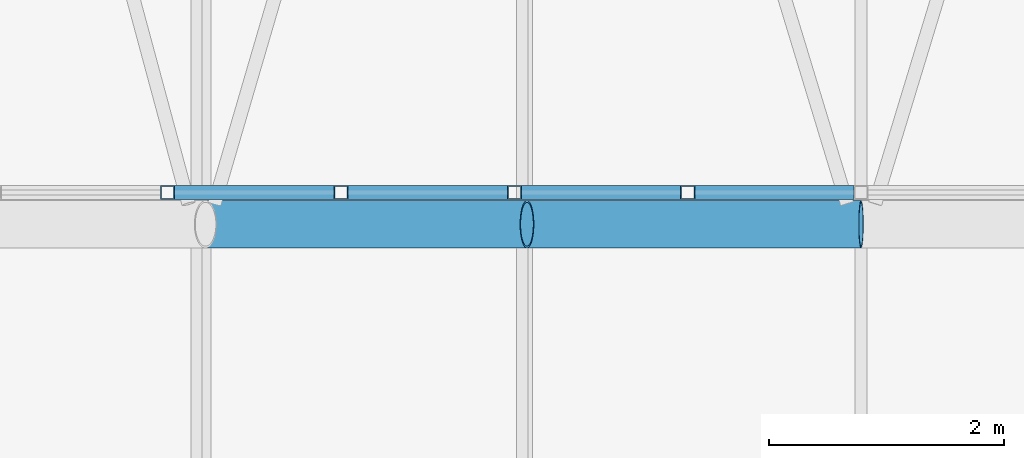
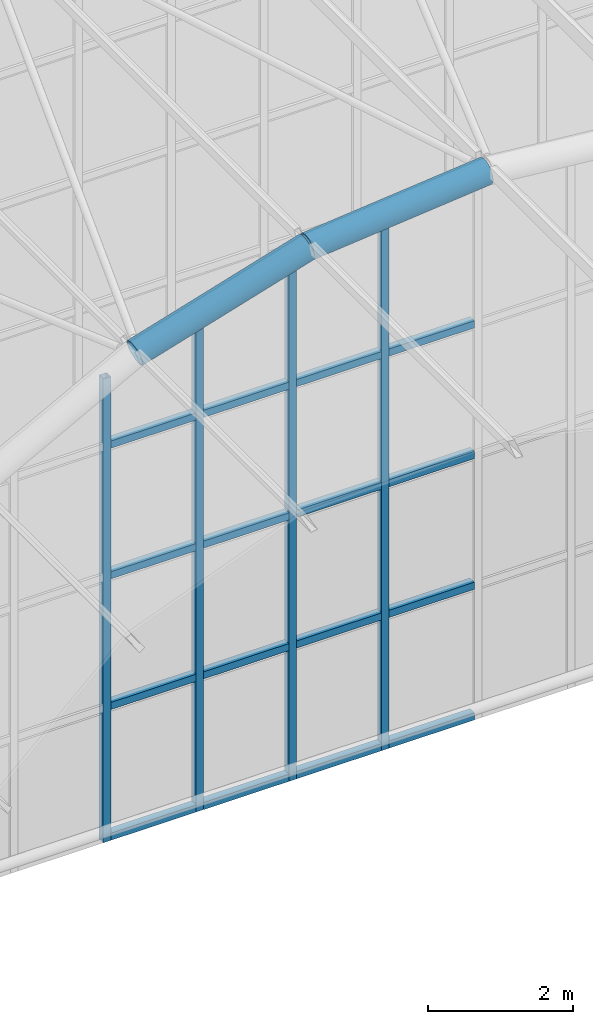
# One storey, part 41 of 121: 22 members, 1 element without a shape of its own.
"""IFC4 building model written with IfcOpenShell, lengths in metres."""

from ifc_helpers import new_model, si_unit, direction, frame, origin, origin_2d, place, context, subcontext, project, spatial, hollow_rectangle, hollow_circle, extrude, material, material_profile, profile_set, type_object, element, aggregate, save


model = new_model("IFC4")

# Units and contexts
model_context = context("Model", 3, precision=1e-05, world=origin(), true_north=direction((0.0, 1.0)))
body_context = subcontext(model_context, "Body", "Model", "MODEL_VIEW")
ifc_project = project(units=[si_unit("LENGTHUNIT", "METRE"), si_unit("AREAUNIT", "SQUARE_METRE"), si_unit("VOLUMEUNIT", "CUBIC_METRE"), si_unit("PLANEANGLEUNIT", "RADIAN"), si_unit("MASSUNIT", "GRAM", prefix="KILO")], contexts=[model_context])

# Site, building, storey
site_placement = place(None, origin())
site = spatial("IfcSite", under=ifc_project, at=site_placement, CompositionType="ELEMENT")
building_placement = place(site_placement, origin())
building = spatial("IfcBuilding", under=site, at=building_placement, Name="Golden Quay Civic Hall", CompositionType="ELEMENT")
storey_placement = place(building_placement, frame((0.0, 0.0, 18.60009765625)))
storey = spatial("IfcBuildingStorey", under=building, at=storey_placement, Name="L04", CompositionType="ELEMENT", Elevation=18.60009765625)

# Curtain wall, members
ifc_material_1 = material(Name="Fire-resisting glass and steel", Category="steel")
curtain_wall_type = type_object("IfcCurtainWallType", Name="Fire-resisting glazed curtain wall EI 120", PredefinedType="NOTDEFINED", material=ifc_material_1)
curtain_wall_placement = place(storey_placement, origin())
curtain_wall = element("IfcCurtainWall", 1, at=curtain_wall_placement, inside=storey, type_object=curtain_wall_type, Name="Curtain wall tympanum fire3", PredefinedType="NOTDEFINED")
ifc_material_2 = material(Name="Steel S355", Category="steel")
ifc_material_profile_1 = material_profile(ifc_material_2, hollow_rectangle(XDim=0.1201171875, YDim=0.1201171875, WallThickness=0.008056640625, at=origin_2d()), Name="SHS 120x120x8")
ifc_profile_set_1 = profile_set([ifc_material_profile_1], Name="Steel S355")
member_type_1 = type_object("IfcMemberType", Name="Fire-resisting steel mullion SHS 120x120x8", PredefinedType="MULLION", material=ifc_profile_set_1)
member_1_placement = place(storey_placement, frame((79.5888671875, 54.27001953125, -0.25), z_axis=(0.0, 0.0, 1.0), x_axis=(0.0, 1.0, 0.0)))
member_1 = element("IfcMember", 2, at=member_1_placement, type_object=member_type_1, Name="Tympanum mullion 6", PredefinedType="MULLION", context=body_context, shape_type="SweptSolid", body=[
    extrude(hollow_rectangle(XDim=0.1201171875, YDim=0.1201171875, WallThickness=0.008056640625, at=origin_2d()), origin(), (0.0, 0.0, 1.0), 7.805419921875),
])
member_2_placement = place(storey_placement, frame((81.066650390625, 54.27001953125, -0.25), z_axis=(0.0, 0.0, 1.0), x_axis=(0.0, 1.0, 0.0)))
member_2 = element("IfcMember", 3, at=member_2_placement, type_object=member_type_1, Name="Tympanum mullion 7", PredefinedType="MULLION", context=body_context, shape_type="SweptSolid", body=[
    extrude(hollow_rectangle(XDim=0.1201171875, YDim=0.1201171875, WallThickness=0.008056640625, at=origin_2d()), origin(), (0.0, 0.0, 1.0), 8.359375),
])
member_3_placement = place(storey_placement, frame((82.54443359375, 54.27001953125, -0.25), z_axis=(0.0, 0.0, 1.0), x_axis=(0.0, 1.0, 0.0)))
member_3 = element("IfcMember", 4, at=member_3_placement, type_object=member_type_1, Name="Tympanum mullion 8", PredefinedType="MULLION", context=body_context, shape_type="SweptSolid", body=[
    extrude(hollow_rectangle(XDim=0.1201171875, YDim=0.1201171875, WallThickness=0.008056640625, at=origin_2d()), origin(), (0.0, 0.0, 1.0), 8.806884765625),
])
member_4_placement = place(storey_placement, frame((84.022216796875, 54.27001953125, -0.25), z_axis=(0.0, 0.0, 1.0), x_axis=(0.0, 1.0, 0.0)))
member_4 = element("IfcMember", 5, at=member_4_placement, type_object=member_type_1, Name="Tympanum mullion 9", PredefinedType="MULLION", context=body_context, shape_type="SweptSolid", body=[
    extrude(hollow_rectangle(XDim=0.1201171875, YDim=0.1201171875, WallThickness=0.008056640625, at=origin_2d()), origin(), (0.0, 0.0, 1.0), 8.99462890625),
])
ifc_material_3 = material(Name="Steel S355", Category="steel")
ifc_material_profile_2 = material_profile(ifc_material_3, hollow_rectangle(XDim=0.1201171875, YDim=0.1201171875, WallThickness=0.008056640625, at=origin_2d()), Name="SHS 120x120x8")
ifc_profile_set_2 = profile_set([ifc_material_profile_2], Name="Steel S355")
member_type_2 = type_object("IfcMemberType", Name="Fire-resisting steel transom SHS 120x120x8", PredefinedType="USERDEFINED", material=ifc_profile_set_2)
member_5_placement = place(storey_placement, frame((79.64892578125, 54.27001953125, -0.190185546875), z_axis=(1.0, 0.0, 0.0), x_axis=(0.0, 1.0, 0.0)))
member_5 = element("IfcMember", 6, at=member_5_placement, type_object=member_type_2, Name="Tympanum transom 6.1", ObjectType="TRANSOM", PredefinedType="USERDEFINED", context=body_context, shape_type="SweptSolid", body=[
    extrude(hollow_rectangle(XDim=0.1201171875, YDim=0.1201171875, WallThickness=0.008056640625, at=origin_2d()), origin(), (0.0, 0.0, 1.0), 1.357666015625),
])
member_6_placement = place(storey_placement, frame((79.64892578125, 54.27001953125, 2.010009765625), z_axis=(1.0, 0.0, 0.0), x_axis=(0.0, 1.0, 0.0)))
member_6 = element("IfcMember", 7, at=member_6_placement, type_object=member_type_2, Name="Tympanum transom 6.2", ObjectType="TRANSOM", PredefinedType="USERDEFINED", context=body_context, shape_type="SweptSolid", body=[
    extrude(hollow_rectangle(XDim=0.1201171875, YDim=0.1201171875, WallThickness=0.008056640625, at=origin_2d()), origin(), (0.0, 0.0, 1.0), 1.357666015625),
])
member_7_placement = place(storey_placement, frame((79.64892578125, 54.27001953125, 4.2099609375), z_axis=(1.0, 0.0, 0.0), x_axis=(0.0, 1.0, 0.0)))
member_7 = element("IfcMember", 8, at=member_7_placement, type_object=member_type_2, Name="Tympanum transom 6.3", ObjectType="TRANSOM", PredefinedType="USERDEFINED", context=body_context, shape_type="SweptSolid", body=[
    extrude(hollow_rectangle(XDim=0.1201171875, YDim=0.1201171875, WallThickness=0.008056640625, at=origin_2d()), origin(), (0.0, 0.0, 1.0), 1.357666015625),
])
member_8_placement = place(storey_placement, frame((79.64892578125, 54.27001953125, 6.409912109375), z_axis=(1.0, 0.0, 0.0), x_axis=(0.0, 1.0, 0.0)))
member_8 = element("IfcMember", 9, at=member_8_placement, type_object=member_type_2, Name="Tympanum transom 6.4", ObjectType="TRANSOM", PredefinedType="USERDEFINED", context=body_context, shape_type="SweptSolid", body=[
    extrude(hollow_rectangle(XDim=0.1201171875, YDim=0.1201171875, WallThickness=0.008056640625, at=origin_2d()), origin(), (0.0, 0.0, 1.0), 1.357666015625),
])
member_9_placement = place(storey_placement, frame((81.126708984375, 54.27001953125, -0.190185546875), z_axis=(1.0, 0.0, 0.0), x_axis=(0.0, 1.0, 0.0)))
member_9 = element("IfcMember", 10, at=member_9_placement, type_object=member_type_2, Name="Tympanum transom 7.1", ObjectType="TRANSOM", PredefinedType="USERDEFINED", context=body_context, shape_type="SweptSolid", body=[
    extrude(hollow_rectangle(XDim=0.1201171875, YDim=0.1201171875, WallThickness=0.008056640625, at=origin_2d()), origin(), (0.0, 0.0, 1.0), 1.357666015625),
])
member_10_placement = place(storey_placement, frame((81.126708984375, 54.27001953125, 2.010009765625), z_axis=(1.0, 0.0, 0.0), x_axis=(0.0, 1.0, 0.0)))
member_10 = element("IfcMember", 11, at=member_10_placement, type_object=member_type_2, Name="Tympanum transom 7.2", ObjectType="TRANSOM", PredefinedType="USERDEFINED", context=body_context, shape_type="SweptSolid", body=[
    extrude(hollow_rectangle(XDim=0.1201171875, YDim=0.1201171875, WallThickness=0.008056640625, at=origin_2d()), origin(), (0.0, 0.0, 1.0), 1.357666015625),
])
member_11_placement = place(storey_placement, frame((81.126708984375, 54.27001953125, 4.2099609375), z_axis=(1.0, 0.0, 0.0), x_axis=(0.0, 1.0, 0.0)))
member_11 = element("IfcMember", 12, at=member_11_placement, type_object=member_type_2, Name="Tympanum transom 7.3", ObjectType="TRANSOM", PredefinedType="USERDEFINED", context=body_context, shape_type="SweptSolid", body=[
    extrude(hollow_rectangle(XDim=0.1201171875, YDim=0.1201171875, WallThickness=0.008056640625, at=origin_2d()), origin(), (0.0, 0.0, 1.0), 1.357666015625),
])
member_12_placement = place(storey_placement, frame((81.126708984375, 54.27001953125, 6.409912109375), z_axis=(1.0, 0.0, 0.0), x_axis=(0.0, 1.0, 0.0)))
member_12 = element("IfcMember", 13, at=member_12_placement, type_object=member_type_2, Name="Tympanum transom 7.4", ObjectType="TRANSOM", PredefinedType="USERDEFINED", context=body_context, shape_type="SweptSolid", body=[
    extrude(hollow_rectangle(XDim=0.1201171875, YDim=0.1201171875, WallThickness=0.008056640625, at=origin_2d()), origin(), (0.0, 0.0, 1.0), 1.357666015625),
])
member_13_placement = place(storey_placement, frame((82.6044921875, 54.27001953125, -0.190185546875), z_axis=(1.0, 0.0, 0.0), x_axis=(0.0, 1.0, 0.0)))
member_13 = element("IfcMember", 14, at=member_13_placement, type_object=member_type_2, Name="Tympanum transom 8.1", ObjectType="TRANSOM", PredefinedType="USERDEFINED", context=body_context, shape_type="SweptSolid", body=[
    extrude(hollow_rectangle(XDim=0.1201171875, YDim=0.1201171875, WallThickness=0.008056640625, at=origin_2d()), origin(), (0.0, 0.0, 1.0), 1.357666015625),
])
member_14_placement = place(storey_placement, frame((82.6044921875, 54.27001953125, 2.010009765625), z_axis=(1.0, 0.0, 0.0), x_axis=(0.0, 1.0, 0.0)))
member_14 = element("IfcMember", 15, at=member_14_placement, type_object=member_type_2, Name="Tympanum transom 8.2", ObjectType="TRANSOM", PredefinedType="USERDEFINED", context=body_context, shape_type="SweptSolid", body=[
    extrude(hollow_rectangle(XDim=0.1201171875, YDim=0.1201171875, WallThickness=0.008056640625, at=origin_2d()), origin(), (0.0, 0.0, 1.0), 1.357666015625),
])
member_15_placement = place(storey_placement, frame((82.6044921875, 54.27001953125, 4.2099609375), z_axis=(1.0, 0.0, 0.0), x_axis=(0.0, 1.0, 0.0)))
member_15 = element("IfcMember", 16, at=member_15_placement, type_object=member_type_2, Name="Tympanum transom 8.3", ObjectType="TRANSOM", PredefinedType="USERDEFINED", context=body_context, shape_type="SweptSolid", body=[
    extrude(hollow_rectangle(XDim=0.1201171875, YDim=0.1201171875, WallThickness=0.008056640625, at=origin_2d()), origin(), (0.0, 0.0, 1.0), 1.357666015625),
])
member_16_placement = place(storey_placement, frame((82.6044921875, 54.27001953125, 6.409912109375), z_axis=(1.0, 0.0, 0.0), x_axis=(0.0, 1.0, 0.0)))
member_16 = element("IfcMember", 17, at=member_16_placement, type_object=member_type_2, Name="Tympanum transom 8.4", ObjectType="TRANSOM", PredefinedType="USERDEFINED", context=body_context, shape_type="SweptSolid", body=[
    extrude(hollow_rectangle(XDim=0.1201171875, YDim=0.1201171875, WallThickness=0.008056640625, at=origin_2d()), origin(), (0.0, 0.0, 1.0), 1.357666015625),
])
member_17_placement = place(storey_placement, frame((84.082275390625, 54.27001953125, -0.190185546875), z_axis=(1.0, 0.0, 0.0), x_axis=(0.0, 1.0, 0.0)))
member_17 = element("IfcMember", 18, at=member_17_placement, type_object=member_type_2, Name="Tympanum transom 9.1", ObjectType="TRANSOM", PredefinedType="USERDEFINED", context=body_context, shape_type="SweptSolid", body=[
    extrude(hollow_rectangle(XDim=0.1201171875, YDim=0.1201171875, WallThickness=0.008056640625, at=origin_2d()), origin(), (0.0, 0.0, 1.0), 1.357666015625),
])
member_18_placement = place(storey_placement, frame((84.082275390625, 54.27001953125, 2.010009765625), z_axis=(1.0, 0.0, 0.0), x_axis=(0.0, 1.0, 0.0)))
member_18 = element("IfcMember", 19, at=member_18_placement, type_object=member_type_2, Name="Tympanum transom 9.2", ObjectType="TRANSOM", PredefinedType="USERDEFINED", context=body_context, shape_type="SweptSolid", body=[
    extrude(hollow_rectangle(XDim=0.1201171875, YDim=0.1201171875, WallThickness=0.008056640625, at=origin_2d()), origin(), (0.0, 0.0, 1.0), 1.357666015625),
])
member_19_placement = place(storey_placement, frame((84.082275390625, 54.27001953125, 4.2099609375), z_axis=(1.0, 0.0, 0.0), x_axis=(0.0, 1.0, 0.0)))
member_19 = element("IfcMember", 20, at=member_19_placement, type_object=member_type_2, Name="Tympanum transom 9.3", ObjectType="TRANSOM", PredefinedType="USERDEFINED", context=body_context, shape_type="SweptSolid", body=[
    extrude(hollow_rectangle(XDim=0.1201171875, YDim=0.1201171875, WallThickness=0.008056640625, at=origin_2d()), origin(), (0.0, 0.0, 1.0), 1.357666015625),
])
member_20_placement = place(storey_placement, frame((84.082275390625, 54.27001953125, 6.409912109375), z_axis=(1.0, 0.0, 0.0), x_axis=(0.0, 1.0, 0.0)))
member_20 = element("IfcMember", 21, at=member_20_placement, type_object=member_type_2, Name="Tympanum transom 9.4", ObjectType="TRANSOM", PredefinedType="USERDEFINED", context=body_context, shape_type="SweptSolid", body=[
    extrude(hollow_rectangle(XDim=0.1201171875, YDim=0.1201171875, WallThickness=0.008056640625, at=origin_2d()), origin(), (0.0, 0.0, 1.0), 1.357666015625),
])
aggregate(curtain_wall, [member_1, member_2, member_3, member_4, member_5, member_6, member_7, member_8, member_9, member_10, member_11, member_12, member_13, member_14, member_15, member_16, member_17, member_18, member_19, member_20])

# Members
ifc_material_4 = material(Name="Steel S355", Category="steel")
ifc_material_profile_3 = material_profile(ifc_material_4, hollow_circle(Radius=0.203125, WallThickness=0.01611328125, at=origin_2d()), Name="CHS 406.4x16")
ifc_profile_set_3 = profile_set([ifc_material_profile_3], Name="Steel S355")
member_type_3 = type_object("IfcMemberType", Name="Steel arch rib CHS 406.4x16", PredefinedType="USERDEFINED", material=ifc_profile_set_3)
member_21_placement = place(storey_placement, frame((79.91259765625, 54.0, 7.990478515625), z_axis=(0.957095401463, 0.0, 0.289773001673), x_axis=(0.0, 1.0, 0.0)))
element("IfcMember", 22, at=member_21_placement, inside=storey, type_object=member_type_3, Name="Arch rib 7 segment 5", ObjectType="ARCH RIB", PredefinedType="USERDEFINED", context=body_context, shape_type="SweptSolid", body=[
    extrude(hollow_circle(Radius=0.203125, WallThickness=0.01611328125, at=origin_2d()), origin(), (0.0, 0.0, 1.0), 2.862060546875),
])
member_22_placement = place(storey_placement, frame((82.65185546875, 54.0, 8.81982421875), z_axis=(0.995201360973, 0.0, 0.097848102266), x_axis=(0.0, 1.0, 0.0)))
element("IfcMember", 23, at=member_22_placement, inside=storey, type_object=member_type_3, Name="Arch rib 7 segment 6", ObjectType="ARCH RIB", PredefinedType="USERDEFINED", context=body_context, shape_type="SweptSolid", body=[
    extrude(hollow_circle(Radius=0.203125, WallThickness=0.01611328125, at=origin_2d()), origin(), (0.0, 0.0, 1.0), 2.86181640625),
])

save(model, "model.ifc")
